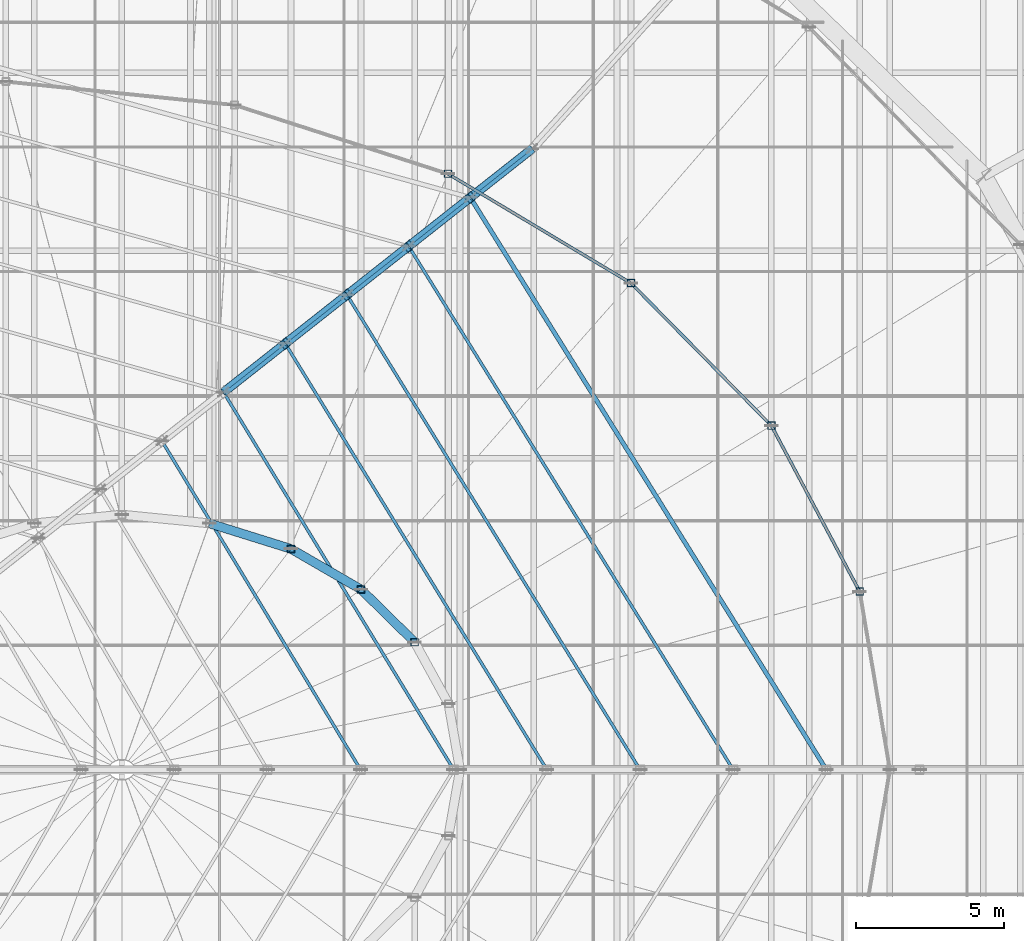
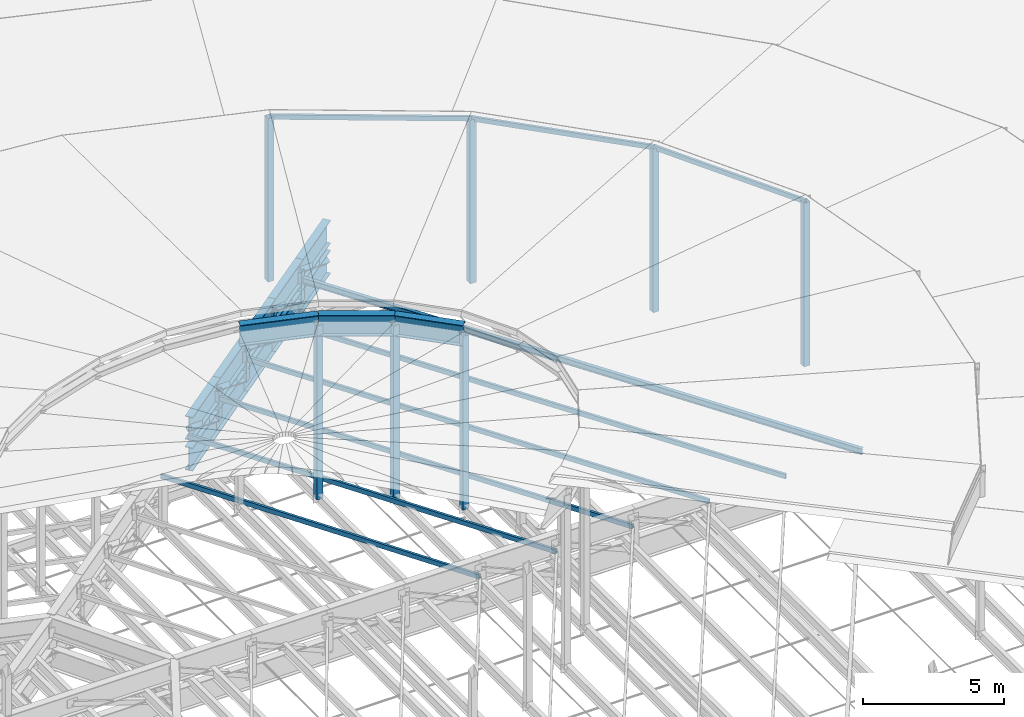
# One storey, part 119 of 184: 25 members, 13 beams.
"""IFC4 building model written with IfcOpenShell, lengths in metres."""

from ifc_helpers import new_model, si_unit, direction, frame, origin, origin_2d, place, context, subcontext, project, spatial, hollow_rectangle, i_section, extrude, material, material_profile, profile_set, type_object, element, save


model = new_model("IFC4")

# Units and contexts
model_context = context("Model", 3, precision=1e-05, world=origin(), true_north=direction((0.0, 1.0)))
body_context = subcontext(model_context, "Body", "Model", "MODEL_VIEW")
ifc_project = project(units=[si_unit("LENGTHUNIT", "METRE"), si_unit("AREAUNIT", "SQUARE_METRE"), si_unit("VOLUMEUNIT", "CUBIC_METRE"), si_unit("PLANEANGLEUNIT", "RADIAN"), si_unit("MASSUNIT", "GRAM", prefix="KILO")], contexts=[model_context])

# Site, building, storey
site_placement = place(None, origin())
site = spatial("IfcSite", under=ifc_project, at=site_placement, CompositionType="ELEMENT")
building_placement = place(site_placement, origin())
building = spatial("IfcBuilding", under=site, at=building_placement, Name="Kalgoora Escarpment Arena", CompositionType="ELEMENT")
storey_placement = place(building_placement, frame((0.0, 0.0, 27.60009765625)))
storey = spatial("IfcBuildingStorey", under=building, at=storey_placement, Name="Roof Level", CompositionType="ELEMENT", Elevation=27.60009765625)

# Beams
ifc_material_1 = material(Name="Structural steel Grade 350 (350 MPa)", Category="steel")
ifc_material_profile_1 = material_profile(ifc_material_1, i_section(OverallWidth=0.300048828125, OverallDepth=0.909912109375, WebThickness=0.011962890625, FlangeThickness=0.028076171875, at=origin_2d()))
ifc_profile_set_1 = profile_set([ifc_material_profile_1], Name="Structural steel Grade 350 (350 MPa)")
beam_type_1 = type_object("IfcBeamType", Name="BM-HUB-RING", PredefinedType="USERDEFINED", material=ifc_profile_set_1)
beam_1_placement = place(storey_placement, frame((119.982666015625, 68.300048828125, 6.64990234375), z_axis=(-0.71313496733, 0.701026760096, 0.0), x_axis=(-0.701026760096, -0.71313496733, 0.0)))
element("IfcBeam", 1, at=beam_1_placement, inside=storey, type_object=beam_type_1, Name="Crown oculus tension RING BEAM chord 03", ObjectType="GIRDER", PredefinedType="USERDEFINED", context=body_context, shape_type="SweptSolid", body=[
    extrude(i_section(OverallWidth=0.300048828125, OverallDepth=0.909912109375, WebThickness=0.011962890625, FlangeThickness=0.028076171875, at=origin_2d()), origin(), (0.0, 0.0, 1.0), 2.54052734375),
])
beam_2_placement = place(storey_placement, frame((118.1708984375, 70.0810546875, 6.64990234375), z_axis=(-0.865442624847, 0.501008046939, 0.0), x_axis=(-0.501008046939, -0.865442624847, 0.0)))
element("IfcBeam", 2, at=beam_2_placement, inside=storey, type_object=beam_type_1, Name="Crown oculus tension RING BEAM chord 04", ObjectType="GIRDER", PredefinedType="USERDEFINED", context=body_context, shape_type="SweptSolid", body=[
    extrude(i_section(OverallWidth=0.300048828125, OverallDepth=0.909912109375, WebThickness=0.011962890625, FlangeThickness=0.028076171875, at=origin_2d()), origin(), (0.0, 0.0, 1.0), 2.727783203125),
])
beam_3_placement = place(storey_placement, frame((115.81005859375, 71.44775390625, 6.64990234375), z_axis=(-0.954489025966, 0.298246038215, 0.0), x_axis=(-0.298246038215, -0.954489025966, 0.0)))
element("IfcBeam", 3, at=beam_3_placement, inside=storey, type_object=beam_type_1, Name="Crown oculus tension RING BEAM chord 05", ObjectType="GIRDER", PredefinedType="USERDEFINED", context=body_context, shape_type="SweptSolid", body=[
    extrude(i_section(OverallWidth=0.300048828125, OverallDepth=0.909912109375, WebThickness=0.011962890625, FlangeThickness=0.028076171875, at=origin_2d()), origin(), (0.0, 0.0, 1.0), 2.880615234375),
])
ifc_material_2 = material(Name="Structural steel Grade 350 (350 MPa)", Category="steel")
ifc_material_profile_2 = material_profile(ifc_material_2, i_section(OverallWidth=0.300048828125, OverallDepth=1.010009765625, WebThickness=0.01611328125, FlangeThickness=0.030029296875, at=origin_2d()))
ifc_profile_set_2 = profile_set([ifc_material_profile_2], Name="Structural steel Grade 350 (350 MPa)")
beam_type_2 = type_object("IfcBeamType", Name="BM-TRUSS-CHORD", PredefinedType="USERDEFINED", material=ifc_profile_set_2)
for number, where, z_axis, x_axis, name in (
    (4, (123.9462890625, 84.937744140625, -1.650146484375), (-0.785126774142, -0.61933211503, 0.001918285312), (0.619333254548, -0.785128218708, 0.0), "Radial ROOF TRUSS spine 2 bottom chord 2"),
    (5, (123.9462890625, 84.937744140625, -0.35009765625), (-0.785122712366, -0.619328910976, 0.003745204329), (0.619333254548, -0.785128218708, 0.0), "Radial ROOF TRUSS spine 2 top chord 2"),
):
    element("IfcBeam", number, at=place(storey_placement, frame(where, z_axis=z_axis, x_axis=x_axis)), inside=storey, type_object=beam_type_2, Name=name, ObjectType="GIRDER", PredefinedType="USERDEFINED", context=body_context, shape_type="SweptSolid", body=[
        extrude(i_section(OverallWidth=0.300048828125, OverallDepth=1.010009765625, WebThickness=0.01611328125, FlangeThickness=0.030029296875, at=origin_2d()), origin(), (0.0, 0.0, 1.0), 2.672607421875),
    ])
for number, where, z_axis, x_axis, name in (
    (6, (121.86669921875, 83.29736328125, -1.64501953125), (-0.785161943142, -0.619287805317, 0.001826807685), (0.619288838671, -0.785163253277, 0.0), "Radial ROOF TRUSS spine 2 bottom chord 3"),
    (7, (121.86669921875, 83.29736328125, -0.340087890625), (-0.78515774748, -0.619284496035, 0.003744935743), (0.619288838671, -0.785163253277, 0.0), "Radial ROOF TRUSS spine 2 top chord 3"),
):
    element("IfcBeam", number, at=place(storey_placement, frame(where, z_axis=z_axis, x_axis=x_axis)), inside=storey, type_object=beam_type_2, Name=name, ObjectType="GIRDER", PredefinedType="USERDEFINED", context=body_context, shape_type="SweptSolid", body=[
        extrude(i_section(OverallWidth=0.300048828125, OverallDepth=1.010009765625, WebThickness=0.01611328125, FlangeThickness=0.030029296875, at=origin_2d()), origin(), (0.0, 0.0, 1.0), 2.6728515625),
    ])
for number, where, z_axis, x_axis, name in (
    (8, (119.786865234375, 81.65673828125, -1.64013671875), (-0.785126774142, -0.61933211503, 0.001918285312), (0.619333254548, -0.785128218708, 0.0), "Radial ROOF TRUSS spine 2 bottom chord 4"),
    (9, (119.786865234375, 81.65673828125, -0.330078125), (-0.785122712366, -0.619328910976, 0.003745204329), (0.619333254548, -0.785128218708, 0.0), "Radial ROOF TRUSS spine 2 top chord 4"),
):
    element("IfcBeam", number, at=place(storey_placement, frame(where, z_axis=z_axis, x_axis=x_axis)), inside=storey, type_object=beam_type_2, Name=name, ObjectType="GIRDER", PredefinedType="USERDEFINED", context=body_context, shape_type="SweptSolid", body=[
        extrude(i_section(OverallWidth=0.300048828125, OverallDepth=1.010009765625, WebThickness=0.01611328125, FlangeThickness=0.030029296875, at=origin_2d()), origin(), (0.0, 0.0, 1.0), 2.672607421875),
    ])
for number, where, z_axis, x_axis, name in (
    (10, (117.707275390625, 80.016357421875, -1.635009765625), (-0.785161943142, -0.619287805317, 0.001826807685), (0.619288838671, -0.785163253277, 0.0), "Radial ROOF TRUSS spine 2 bottom chord 5"),
    (11, (117.707275390625, 80.016357421875, -0.320068359375), (-0.78515774748, -0.619284496035, 0.003744935743), (0.619288838671, -0.785163253277, 0.0), "Radial ROOF TRUSS spine 2 top chord 5"),
):
    element("IfcBeam", number, at=place(storey_placement, frame(where, z_axis=z_axis, x_axis=x_axis)), inside=storey, type_object=beam_type_2, Name=name, ObjectType="GIRDER", PredefinedType="USERDEFINED", context=body_context, shape_type="SweptSolid", body=[
        extrude(i_section(OverallWidth=0.300048828125, OverallDepth=1.010009765625, WebThickness=0.01611328125, FlangeThickness=0.030029296875, at=origin_2d()), origin(), (0.0, 0.0, 1.0), 2.6728515625),
    ])
for number, where, z_axis, x_axis, name in (
    (12, (115.62744140625, 78.375732421875, -1.630126953125), (-0.785126774142, -0.61933211503, 0.001918285312), (0.619333254548, -0.785128218708, 0.0), "Radial ROOF TRUSS spine 2 bottom chord 6"),
    (13, (115.62744140625, 78.375732421875, -0.31005859375), (-0.785122712366, -0.619328910976, 0.003745204329), (0.619333254548, -0.785128218708, 0.0), "Radial ROOF TRUSS spine 2 top chord 6"),
):
    element("IfcBeam", number, at=place(storey_placement, frame(where, z_axis=z_axis, x_axis=x_axis)), inside=storey, type_object=beam_type_2, Name=name, ObjectType="GIRDER", PredefinedType="USERDEFINED", context=body_context, shape_type="SweptSolid", body=[
        extrude(i_section(OverallWidth=0.300048828125, OverallDepth=1.010009765625, WebThickness=0.01611328125, FlangeThickness=0.030029296875, at=origin_2d()), origin(), (0.0, 0.0, 1.0), 2.672607421875),
    ])

# Members
ifc_material_3 = material(Name="Structural steel C450 (450 MPa)", Category="steel")
ifc_material_profile_3 = material_profile(ifc_material_3, hollow_rectangle(XDim=0.25, YDim=0.25, WallThickness=0.012451171875, at=origin_2d()))
ifc_profile_set_3 = profile_set([ifc_material_profile_3], Name="Structural steel C450 (450 MPa)")
member_type_1 = type_object("IfcMemberType", Name="MEM-PETAL-POST", PredefinedType="POST", material=ifc_profile_set_3)
for number, where, z_axis, x_axis, name in (
    (14, (134.984619140625, 70.004638671875, -0.960205078125), (0.0, 0.0, 1.0), (1.0, 0.0, 0.0), "Petal RP4 vertical support post S02"),
    (15, (132.007568359375, 75.60009765625, -0.960205078125), (0.0, 0.0, 1.0), (1.0, 0.0, 0.0), "Petal RP4 vertical support post S03"),
    (16, (127.271728515625, 80.40478515625, -0.960205078125), (0.0, 0.0, 1.0), (1.0, 0.0, 0.0), "Petal RP4 vertical support post S04"),
    (17, (121.10009765625, 84.091796875, -0.960205078125), (0.0, 0.0, 1.0), (1.0, 0.0, 0.0), "Petal RP4 vertical support post S05"),
):
    element("IfcMember", number, at=place(storey_placement, frame(where, z_axis=z_axis, x_axis=x_axis)), inside=storey, type_object=member_type_1, Name=name, PredefinedType="POST", context=body_context, shape_type="SweptSolid", body=[
        extrude(hollow_rectangle(XDim=0.25, YDim=0.25, WallThickness=0.012451171875, at=origin_2d()), origin(), (0.0, 0.0, 1.0), 7.105224609375),
    ])
for number, where, z_axis, x_axis, name in (
    (18, (119.982666015625, 68.300048828125, -0.900146484375), (0.0, 0.0, 1.0), (1.0, 0.0, 0.0), "Crown dome vertical post 03"),
    (19, (118.1708984375, 70.0810546875, -0.900146484375), (0.0, 0.0, 1.0), (1.0, 0.0, 0.0), "Crown dome vertical post 04"),
    (20, (115.81005859375, 71.44775390625, -0.900146484375), (0.0, 0.0, 1.0), (1.0, 0.0, 0.0), "Crown dome vertical post 05"),
):
    element("IfcMember", number, at=place(storey_placement, frame(where, z_axis=z_axis, x_axis=x_axis)), inside=storey, type_object=member_type_1, Name=name, PredefinedType="POST", context=body_context, shape_type="SweptSolid", body=[
        extrude(hollow_rectangle(XDim=0.25, YDim=0.25, WallThickness=0.012451171875, at=origin_2d()), origin(), (0.0, 0.0, 1.0), 7.550048828125),
    ])
ifc_material_4 = material(Name="Structural steel C350 (350 MPa)", Category="steel")
ifc_material_profile_4 = material_profile(ifc_material_4, hollow_rectangle(XDim=0.10009765625, YDim=0.199951171875, WallThickness=0.009033203125, at=origin_2d()))
ifc_profile_set_4 = profile_set([ifc_material_profile_4], Name="Structural steel C350 (350 MPa)")
member_type_2 = type_object("IfcMemberType", Name="MEM-PURLIN-RHS", PredefinedType="PURLIN", material=ifc_profile_set_4)
member_1_placement = place(storey_placement, frame((130.719970703125, 64.0, -0.68017578125), z_axis=(-0.526930836946, 0.849908167437, 0.0), x_axis=(-0.849908167437, -0.526930836946, 0.0)))
element("IfcMember", 21, at=member_1_placement, inside=storey, type_object=member_type_2, Name="Roof circumferential purlin ring 3 sector 1", PredefinedType="PURLIN", context=body_context, shape_type="SweptSolid", body=[
    extrude(hollow_rectangle(XDim=0.10009765625, YDim=0.199951171875, WallThickness=0.009033203125, at=origin_2d()), origin(), (0.0, 0.0, 1.0), 20.766357421875),
])
member_2_placement = place(storey_placement, frame((127.580078125, 64.0, -0.670166015625), z_axis=(-0.525282892516, 0.850927660163, 0.0), x_axis=(-0.850927660163, -0.525282892516, 0.0)))
element("IfcMember", 22, at=member_2_placement, inside=storey, type_object=member_type_2, Name="Roof circumferential purlin ring 4 sector 1", PredefinedType="PURLIN", context=body_context, shape_type="SweptSolid", body=[
    extrude(hollow_rectangle(XDim=0.10009765625, YDim=0.199951171875, WallThickness=0.009033203125, at=origin_2d()), origin(), (0.0, 0.0, 1.0), 18.813232421875),
])
member_3_placement = place(storey_placement, frame((124.43994140625, 64.0, -0.66015625), z_axis=(-0.523223000565, 0.852195805951, 0.0), x_axis=(-0.852195805951, -0.523223000565, 0.0)))
element("IfcMember", 23, at=member_3_placement, inside=storey, type_object=member_type_2, Name="Roof circumferential purlin ring 5 sector 1", PredefinedType="PURLIN", context=body_context, shape_type="SweptSolid", body=[
    extrude(hollow_rectangle(XDim=0.10009765625, YDim=0.199951171875, WallThickness=0.009033203125, at=origin_2d()), origin(), (0.0, 0.0, 1.0), 16.8603515625),
])
member_4_placement = place(storey_placement, frame((121.300048828125, 64.0, -0.650146484375), z_axis=(-0.520650226205, 0.853770075578, 0.0), x_axis=(-0.853770075578, -0.520650226205, 0.0)))
element("IfcMember", 24, at=member_4_placement, inside=storey, type_object=member_type_2, Name="Roof circumferential purlin ring 6 sector 1", PredefinedType="PURLIN", context=body_context, shape_type="SweptSolid", body=[
    extrude(hollow_rectangle(XDim=0.10009765625, YDim=0.199951171875, WallThickness=0.009033203125, at=origin_2d()), origin(), (0.0, 0.0, 1.0), 14.90771484375),
])
member_5_placement = place(storey_placement, frame((118.159912109375, 64.0, -0.64013671875), z_axis=(-0.517272669757, 0.855820650091, 0.0), x_axis=(-0.855820650091, -0.517272669757, 0.0)))
element("IfcMember", 25, at=member_5_placement, inside=storey, type_object=member_type_2, Name="Roof circumferential purlin ring 7 sector 1", PredefinedType="PURLIN", context=body_context, shape_type="SweptSolid", body=[
    extrude(hollow_rectangle(XDim=0.10009765625, YDim=0.199951171875, WallThickness=0.009033203125, at=origin_2d()), origin(), (0.0, 0.0, 1.0), 12.955322265625),
])
member_6_placement = place(storey_placement, frame((134.984619140625, 70.004638671875, 6.125), z_axis=(-0.469704321277, 0.882823793616, 0.0), x_axis=(-0.882823793616, -0.469704321277, 0.0)))
element("IfcMember", 26, at=member_6_placement, inside=storey, type_object=member_type_2, Name="Petal RP4 eave support ring purlin S02", PredefinedType="PURLIN", context=body_context, shape_type="SweptSolid", body=[
    extrude(hollow_rectangle(XDim=0.10009765625, YDim=0.199951171875, WallThickness=0.009033203125, at=origin_2d()), origin(), (0.0, 0.0, 1.0), 6.338134765625),
])
member_7_placement = place(storey_placement, frame((132.007568359375, 75.60009765625, 6.125), z_axis=(-0.701985782774, 0.712190958088, 0.0), x_axis=(-0.712190958088, -0.701985782774, 0.0)))
element("IfcMember", 27, at=member_7_placement, inside=storey, type_object=member_type_2, Name="Petal RP4 eave support ring purlin S03", PredefinedType="PURLIN", context=body_context, shape_type="SweptSolid", body=[
    extrude(hollow_rectangle(XDim=0.10009765625, YDim=0.199951171875, WallThickness=0.009033203125, at=origin_2d()), origin(), (0.0, 0.0, 1.0), 6.746337890625),
])
member_8_placement = place(storey_placement, frame((127.271728515625, 80.40478515625, 6.125), z_axis=(-0.858471212387, 0.512861752817, 0.0), x_axis=(-0.512861752817, -0.858471212387, 0.0)))
element("IfcMember", 28, at=member_8_placement, inside=storey, type_object=member_type_2, Name="Petal RP4 eave support ring purlin S04", PredefinedType="PURLIN", context=body_context, shape_type="SweptSolid", body=[
    extrude(hollow_rectangle(XDim=0.10009765625, YDim=0.199951171875, WallThickness=0.009033203125, at=origin_2d()), origin(), (0.0, 0.0, 1.0), 7.189208984375),
])
ifc_material_5 = material(Name="Structural steel AS/NZS 3679 (300 MPa)", Category="steel")
ifc_material_profile_5 = material_profile(ifc_material_5, i_section(OverallWidth=0.14599609375, OverallDepth=0.256103515625, WebThickness=0.00634765625, FlangeThickness=0.010986328125, at=origin_2d()))
ifc_profile_set_5 = profile_set([ifc_material_profile_5], Name="Structural steel AS/NZS 3679 (300 MPa)")
member_type_3 = type_object("IfcMemberType", Name="MEM-PURLIN-UB", PredefinedType="PURLIN", material=ifc_profile_set_5)
member_9_placement = place(storey_placement, frame((133.860107421875, 64.0, -0.690185546875), z_axis=(-0.528306534849, 0.849053711632, 0.0), x_axis=(-0.849053711632, -0.528306534849, 0.0)))
element("IfcMember", 29, at=member_9_placement, inside=storey, type_object=member_type_3, Name="Roof circumferential purlin ring 2 sector 1", PredefinedType="PURLIN", context=body_context, shape_type="SweptSolid", body=[
    extrude(i_section(OverallWidth=0.14599609375, OverallDepth=0.256103515625, WebThickness=0.00634765625, FlangeThickness=0.010986328125, at=origin_2d()), origin(), (0.0, 0.0, 1.0), 22.71923828125),
])
ifc_material_6 = material(Name="Structural steel C350 (350 MPa)", Category="steel")
ifc_material_profile_6 = material_profile(ifc_material_6, hollow_rectangle(XDim=0.199951171875, YDim=0.199951171875, WallThickness=0.009033203125, at=origin_2d()))
ifc_profile_set_6 = profile_set([ifc_material_profile_6], Name="Structural steel C350 (350 MPa)")
member_type_4 = type_object("IfcMemberType", Name="MEM-TRUSS-DIAG", PredefinedType="BRACE", material=ifc_profile_set_6)
member_10_placement = place(storey_placement, frame((123.93701171875, 84.930419921875, -1.650146484375), z_axis=(-0.703729825962, -0.555184835697, 0.443321700647), x_axis=(-0.696088976616, 0.413888297766, -0.586648628743)))
element("IfcMember", 30, at=member_10_placement, inside=storey, type_object=member_type_4, Name="Radial ROOF TRUSS spine 2 web diagonal 2", PredefinedType="BRACE", context=body_context, shape_type="SweptSolid", body=[
    extrude(hollow_rectangle(XDim=0.199951171875, YDim=0.199951171875, WallThickness=0.009033203125, at=origin_2d()), origin(), (0.0, 0.0, 1.0), 2.955078125),
])
member_11_placement = place(storey_placement, frame((121.857421875, 83.289794921875, -1.64501953125), z_axis=(-0.703287872707, -0.554688486527, 0.444642385538), x_axis=(-0.696714066689, 0.413443126611, -0.58622034282)))
element("IfcMember", 31, at=member_11_placement, inside=storey, type_object=member_type_4, Name="Radial ROOF TRUSS spine 2 web diagonal 3", PredefinedType="BRACE", context=body_context, shape_type="SweptSolid", body=[
    extrude(hollow_rectangle(XDim=0.199951171875, YDim=0.199951171875, WallThickness=0.009033203125, at=origin_2d()), origin(), (0.0, 0.0, 1.0), 2.957275390625),
])
member_12_placement = place(storey_placement, frame((119.777587890625, 81.6494140625, -1.64013671875), z_axis=(-0.702713177916, -0.554317708135, 0.446011286887), x_axis=(-0.697447392673, 0.412837841771, -0.585774744125)))
element("IfcMember", 32, at=member_12_placement, inside=storey, type_object=member_type_4, Name="Radial ROOF TRUSS spine 2 web diagonal 4", PredefinedType="BRACE", context=body_context, shape_type="SweptSolid", body=[
    extrude(hollow_rectangle(XDim=0.199951171875, YDim=0.199951171875, WallThickness=0.009033203125, at=origin_2d()), origin(), (0.0, 0.0, 1.0), 2.959716796875),
])
member_13_placement = place(storey_placement, frame((117.69775390625, 80.0087890625, -1.635009765625), z_axis=(-0.702186004994, -0.553884452636, 0.447377723539), x_axis=(-0.69814323499, 0.412294643146, -0.585328241819)))
element("IfcMember", 33, at=member_13_placement, inside=storey, type_object=member_type_4, Name="Radial ROOF TRUSS spine 2 web diagonal 5", PredefinedType="BRACE", context=body_context, shape_type="SweptSolid", body=[
    extrude(hollow_rectangle(XDim=0.199951171875, YDim=0.199951171875, WallThickness=0.009033203125, at=origin_2d()), origin(), (0.0, 0.0, 1.0), 2.961669921875),
])
member_14_placement = place(storey_placement, frame((115.6181640625, 78.368408203125, -1.630126953125), z_axis=(-0.701651590539, -0.553480301493, 0.448714387282), x_axis=(-0.698836380109, 0.411742173785, -0.584889815403)))
element("IfcMember", 34, at=member_14_placement, inside=storey, type_object=member_type_4, Name="Radial ROOF TRUSS spine 2 web diagonal 6", PredefinedType="BRACE", context=body_context, shape_type="SweptSolid", body=[
    extrude(hollow_rectangle(XDim=0.199951171875, YDim=0.199951171875, WallThickness=0.009033203125, at=origin_2d()), origin(), (0.0, 0.0, 1.0), 2.964111328125),
])
ifc_material_7 = material(Name="Structural steel C450 (450 MPa)", Category="steel")
ifc_material_profile_7 = material_profile(ifc_material_7, hollow_rectangle(XDim=0.300048828125, YDim=0.300048828125, WallThickness=0.012451171875, at=origin_2d()))
ifc_profile_set_7 = profile_set([ifc_material_profile_7], Name="Structural steel C450 (450 MPa)")
member_type_5 = type_object("IfcMemberType", Name="MEM-TRUSS-POST", PredefinedType="POST", material=ifc_profile_set_7)
member_15_placement = place(storey_placement, frame((121.857421875, 83.289794921875, -1.64501953125), z_axis=(0.0, 0.0, 1.0), x_axis=(-0.756081970773, -0.6544769312, 0.0)))
element("IfcMember", 35, at=member_15_placement, inside=storey, type_object=member_type_5, Name="Radial ROOF TRUSS spine 2 post 2", PredefinedType="POST", context=body_context, shape_type="SweptSolid", body=[
    extrude(hollow_rectangle(XDim=0.300048828125, YDim=0.300048828125, WallThickness=0.012451171875, at=origin_2d()), origin(), (0.0, 0.0, 1.0), 1.304931640625),
])
member_16_placement = place(storey_placement, frame((119.777587890625, 81.6494140625, -1.64013671875), z_axis=(0.0, 0.0, 1.0), x_axis=(-0.756081970773, -0.6544769312, 0.0)))
element("IfcMember", 36, at=member_16_placement, inside=storey, type_object=member_type_5, Name="Radial ROOF TRUSS spine 2 post 3", PredefinedType="POST", context=body_context, shape_type="SweptSolid", body=[
    extrude(hollow_rectangle(XDim=0.300048828125, YDim=0.300048828125, WallThickness=0.012451171875, at=origin_2d()), origin(), (0.0, 0.0, 1.0), 1.31005859375),
])
member_17_placement = place(storey_placement, frame((117.69775390625, 80.0087890625, -1.635009765625), z_axis=(0.0, 0.0, 1.0), x_axis=(-0.756081970773, -0.6544769312, 0.0)))
element("IfcMember", 37, at=member_17_placement, inside=storey, type_object=member_type_5, Name="Radial ROOF TRUSS spine 2 post 4", PredefinedType="POST", context=body_context, shape_type="SweptSolid", body=[
    extrude(hollow_rectangle(XDim=0.300048828125, YDim=0.300048828125, WallThickness=0.012451171875, at=origin_2d()), origin(), (0.0, 0.0, 1.0), 1.31494140625),
])
member_18_placement = place(storey_placement, frame((115.6181640625, 78.368408203125, -1.630126953125), z_axis=(0.0, 0.0, 1.0), x_axis=(-0.756081970773, -0.6544769312, 0.0)))
element("IfcMember", 38, at=member_18_placement, inside=storey, type_object=member_type_5, Name="Radial ROOF TRUSS spine 2 post 5", PredefinedType="POST", context=body_context, shape_type="SweptSolid", body=[
    extrude(hollow_rectangle(XDim=0.300048828125, YDim=0.300048828125, WallThickness=0.012451171875, at=origin_2d()), origin(), (0.0, 0.0, 1.0), 1.320068359375),
])

save(model, "model.ifc")
